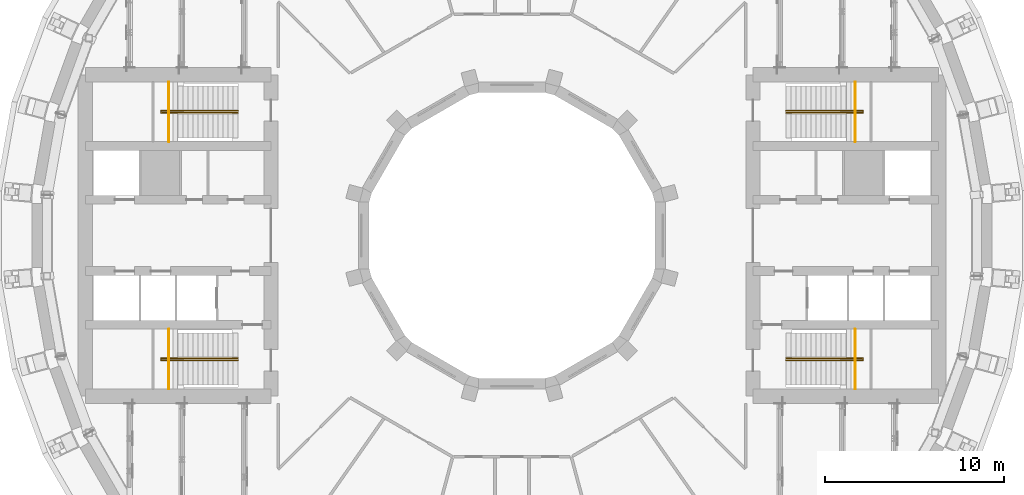
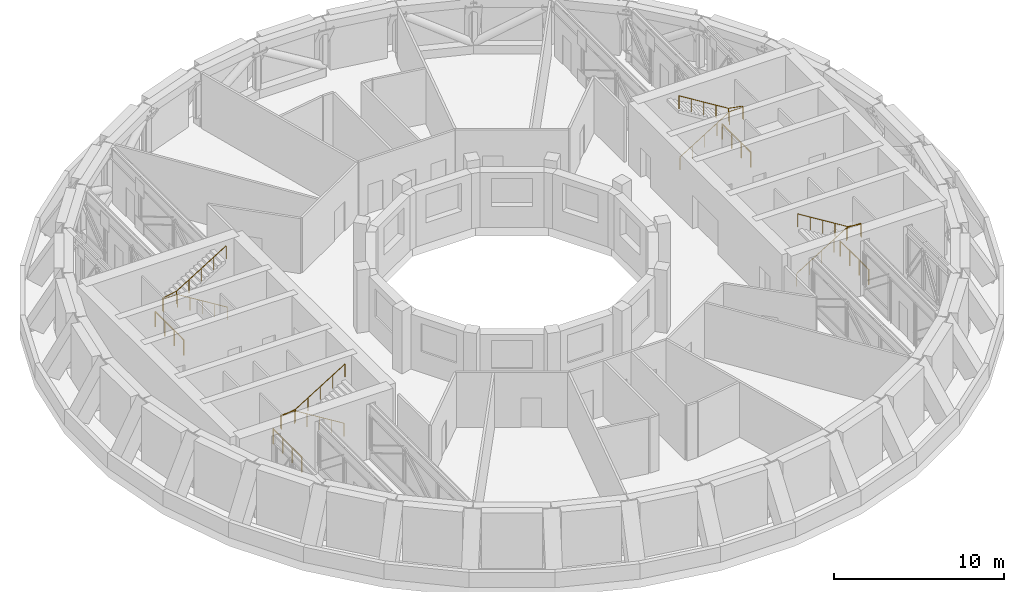
# One storey, part 19 of 19: 8 railings.
"""IFC4 building model written with IfcOpenShell, lengths in metres."""

from ifc_helpers import new_model, si_unit, direction, frame, origin, origin_2d, place, context, subcontext, project, spatial, circle, extrude, material, type_object, element, save


model = new_model("IFC4")

# Units and contexts
model_context = context("Model", 3, precision=1e-05, world=origin(), true_north=direction((0.0, 1.0)))
body_context = subcontext(model_context, "Body", "Model", "MODEL_VIEW")
ifc_project = project(units=[si_unit("LENGTHUNIT", "METRE"), si_unit("AREAUNIT", "SQUARE_METRE"), si_unit("VOLUMEUNIT", "CUBIC_METRE"), si_unit("PLANEANGLEUNIT", "RADIAN"), si_unit("MASSUNIT", "GRAM", prefix="KILO")], contexts=[model_context])

# Site, building, storey
site_placement = place(None, origin())
site = spatial("IfcSite", under=ifc_project, at=site_placement, CompositionType="ELEMENT")
building_placement = place(site_placement, origin())
building = spatial("IfcBuilding", under=site, at=building_placement, Name="Saqina Gate Tower", CompositionType="ELEMENT")
storey_placement = place(building_placement, frame((0.0, 0.0, 82.39990234375)))
storey = spatial("IfcBuildingStorey", under=building, at=storey_placement, Name="L23", CompositionType="ELEMENT", Elevation=82.39990234375)

# Railings
ifc_material_1 = material(Name="Stainless steel", Category="steel")
railing_type_1 = type_object("IfcRailingType", Name="STAIR GUARD", PredefinedType="GUARDRAIL", material=ifc_material_1)
railing_1_placement = place(storey_placement, frame((19.219970703125, 5.25, 0.0)))
element("IfcRailing", 1, at=railing_1_placement, inside=storey, type_object=railing_type_1, Name="STAIR GUARD", PredefinedType="GUARDRAIL", context=body_context, shape_type="SweptSolid", body=[
    extrude(circle(Radius=0.02392578125, at=origin_2d()), frame((0.0, 0.0, 1.076171875), z_axis=(0.0, 1.0, 0.0), x_axis=(-1.0, 0.0, 0.0)), (0.0, 0.0, 1.0), 3.35009765625),
    extrude(circle(Radius=0.02099609375, at=origin_2d()), origin(), (0.0, 0.0, 1.0), 1.052001953125),
    extrude(circle(Radius=0.02099609375, at=origin_2d()), frame((0.0, 1.11669921875, 0.0)), (0.0, 0.0, 1.0), 1.052001953125),
    extrude(circle(Radius=0.02099609375, at=origin_2d()), frame((0.0, 2.2333984375, 0.0)), (0.0, 0.0, 1.0), 1.052001953125),
    extrude(circle(Radius=0.02099609375, at=origin_2d()), frame((0.0, 3.35009765625, 0.0)), (0.0, 0.0, 1.0), 1.052001953125),
])
railing_2_placement = place(storey_placement, frame((19.219970703125, -5.25, 0.0)))
element("IfcRailing", 2, at=railing_2_placement, inside=storey, type_object=railing_type_1, Name="STAIR GUARD", PredefinedType="GUARDRAIL", context=body_context, shape_type="SweptSolid", body=[
    extrude(circle(Radius=0.02392578125, at=origin_2d()), frame((0.0, 0.0, 1.076171875), z_axis=(0.0, -1.0, 0.0), x_axis=(1.0, 0.0, 0.0)), (0.0, 0.0, 1.0), 3.35009765625),
    extrude(circle(Radius=0.02099609375, at=origin_2d()), origin(), (0.0, 0.0, 1.0), 1.052001953125),
    extrude(circle(Radius=0.02099609375, at=origin_2d()), frame((0.0, -1.11669921875, 0.0)), (0.0, 0.0, 1.0), 1.052001953125),
    extrude(circle(Radius=0.02099609375, at=origin_2d()), frame((0.0, -2.2333984375, 0.0)), (0.0, 0.0, 1.0), 1.052001953125),
    extrude(circle(Radius=0.02099609375, at=origin_2d()), frame((0.0, -3.35009765625, 0.0)), (0.0, 0.0, 1.0), 1.052001953125),
])
railing_3_placement = place(storey_placement, frame((-19.219970703125, 5.25, 0.0)))
element("IfcRailing", 3, at=railing_3_placement, inside=storey, type_object=railing_type_1, Name="STAIR GUARD", PredefinedType="GUARDRAIL", context=body_context, shape_type="SweptSolid", body=[
    extrude(circle(Radius=0.02392578125, at=origin_2d()), frame((0.0, 0.0, 1.076171875), z_axis=(0.0, 1.0, 0.0), x_axis=(-1.0, 0.0, 0.0)), (0.0, 0.0, 1.0), 3.35009765625),
    extrude(circle(Radius=0.02099609375, at=origin_2d()), origin(), (0.0, 0.0, 1.0), 1.052001953125),
    extrude(circle(Radius=0.02099609375, at=origin_2d()), frame((0.0, 1.11669921875, 0.0)), (0.0, 0.0, 1.0), 1.052001953125),
    extrude(circle(Radius=0.02099609375, at=origin_2d()), frame((0.0, 2.2333984375, 0.0)), (0.0, 0.0, 1.0), 1.052001953125),
    extrude(circle(Radius=0.02099609375, at=origin_2d()), frame((0.0, 3.35009765625, 0.0)), (0.0, 0.0, 1.0), 1.052001953125),
])
railing_4_placement = place(storey_placement, frame((-19.219970703125, -5.25, 0.0)))
element("IfcRailing", 4, at=railing_4_placement, inside=storey, type_object=railing_type_1, Name="STAIR GUARD", PredefinedType="GUARDRAIL", context=body_context, shape_type="SweptSolid", body=[
    extrude(circle(Radius=0.02392578125, at=origin_2d()), frame((0.0, 0.0, 1.076171875), z_axis=(0.0, -1.0, 0.0), x_axis=(1.0, 0.0, 0.0)), (0.0, 0.0, 1.0), 3.35009765625),
    extrude(circle(Radius=0.02099609375, at=origin_2d()), origin(), (0.0, 0.0, 1.0), 1.052001953125),
    extrude(circle(Radius=0.02099609375, at=origin_2d()), frame((0.0, -1.11669921875, 0.0)), (0.0, 0.0, 1.0), 1.052001953125),
    extrude(circle(Radius=0.02099609375, at=origin_2d()), frame((0.0, -2.2333984375, 0.0)), (0.0, 0.0, 1.0), 1.052001953125),
    extrude(circle(Radius=0.02099609375, at=origin_2d()), frame((0.0, -3.35009765625, 0.0)), (0.0, 0.0, 1.0), 1.052001953125),
])
ifc_material_2 = material(Name="Stainless steel", Category="steel")
railing_type_2 = type_object("IfcRailingType", Name="STAIR HANDRAIL", PredefinedType="HANDRAIL", material=ifc_material_2)
railing_5_placement = place(storey_placement, frame((15.35009765625, 6.86669921875, 0.173095703125)))
element("IfcRailing", 5, at=railing_5_placement, inside=storey, type_object=railing_type_2, Name="EXIT STAIR 1 HANDRAIL", PredefinedType="HANDRAIL", context=body_context, shape_type="SweptSolid", body=[
    extrude(circle(Radius=0.02392578125, at=origin_2d()), frame((0.0, 0.0, 0.92578125), z_axis=(0.850606129759, 0.0, 0.525803396734), x_axis=(0.0, 1.0, 0.0)), (0.0, 0.0, 1.0), 3.949951171875),
    extrude(circle(Radius=0.02392578125, at=origin_2d()), frame((3.35986328125, 0.0, 3.0029296875), z_axis=(1.0, 0.0, 0.0), x_axis=(0.0, 1.0, 0.0)), (0.0, 0.0, 1.0), 0.949951171875),
    extrude(circle(Radius=0.02392578125, at=origin_2d()), frame((4.309814453125, 0.0, 3.0029296875), z_axis=(0.0, 1.0, 0.0), x_axis=(-1.0, 0.0, 0.0)), (0.0, 0.0, 1.0), 0.11669921875),
    extrude(circle(Radius=0.02392578125, at=origin_2d()), frame((4.309814453125, 0.11669921875, 3.0029296875), z_axis=(-0.983801064867, 0.0, 0.17926367386), x_axis=(0.0, -1.0, 0.0)), (0.0, 0.0, 1.0), 0.965576171875),
    extrude(circle(Radius=0.02392578125, at=origin_2d()), frame((3.35986328125, 0.11669921875, 3.17578125), z_axis=(-0.850606129759, 0.0, 0.525803396734), x_axis=(0.0, -1.0, 0.0)), (0.0, 0.0, 1.0), 3.949951171875),
    extrude(circle(Radius=0.02099609375, at=origin_2d()), origin(), (0.0, 0.0, 1.0), 0.90185546875),
    extrude(circle(Radius=0.02099609375, at=origin_2d()), frame((0.83984375, 0.0, 0.519287109375)), (0.0, 0.0, 1.0), 0.90185546875),
    extrude(circle(Radius=0.02099609375, at=origin_2d()), frame((1.679931640625, 0.0, 1.03857421875)), (0.0, 0.0, 1.0), 0.90185546875),
    extrude(circle(Radius=0.02099609375, at=origin_2d()), frame((2.52001953125, 0.0, 1.5576171875)), (0.0, 0.0, 1.0), 0.90185546875),
    extrude(circle(Radius=0.02099609375, at=origin_2d()), frame((3.35986328125, 0.0, 2.076904296875)), (0.0, 0.0, 1.0), 0.90185546875),
    extrude(circle(Radius=0.02099609375, at=origin_2d()), frame((4.309814453125, 0.0, 2.076904296875)), (0.0, 0.0, 1.0), 0.90185546875),
    extrude(circle(Radius=0.02099609375, at=origin_2d()), frame((4.309814453125, 0.11669921875, 2.076904296875)), (0.0, 0.0, 1.0), 0.90185546875),
    extrude(circle(Radius=0.02099609375, at=origin_2d()), frame((3.35986328125, 0.11669921875, 2.25)), (0.0, 0.0, 1.0), 0.90185546875),
    extrude(circle(Radius=0.02099609375, at=origin_2d()), frame((2.52001953125, 0.11669921875, 2.769287109375)), (0.0, 0.0, 1.0), 0.90185546875),
    extrude(circle(Radius=0.02099609375, at=origin_2d()), frame((1.679931640625, 0.11669921875, 3.28857421875)), (0.0, 0.0, 1.0), 0.90185546875),
    extrude(circle(Radius=0.02099609375, at=origin_2d()), frame((0.83984375, 0.11669921875, 3.8076171875)), (0.0, 0.0, 1.0), 0.90185546875),
    extrude(circle(Radius=0.02099609375, at=origin_2d()), frame((0.0, 0.11669921875, 4.326904296875)), (0.0, 0.0, 1.0), 0.90185546875),
])
railing_6_placement = place(storey_placement, frame((15.35009765625, -6.86669921875, 0.173095703125)))
element("IfcRailing", 6, at=railing_6_placement, inside=storey, type_object=railing_type_2, Name="EXIT STAIR 2 HANDRAIL", PredefinedType="HANDRAIL", context=body_context, shape_type="SweptSolid", body=[
    extrude(circle(Radius=0.02392578125, at=origin_2d()), frame((0.0, 0.0, 0.92578125), z_axis=(0.850606129759, 0.0, 0.525803396734), x_axis=(0.0, 1.0, 0.0)), (0.0, 0.0, 1.0), 3.949951171875),
    extrude(circle(Radius=0.02392578125, at=origin_2d()), frame((3.35986328125, 0.0, 3.0029296875), z_axis=(1.0, 0.0, 0.0), x_axis=(0.0, 1.0, 0.0)), (0.0, 0.0, 1.0), 0.949951171875),
    extrude(circle(Radius=0.02392578125, at=origin_2d()), frame((4.309814453125, 0.0, 3.0029296875), z_axis=(0.0, -1.0, 0.0), x_axis=(1.0, 0.0, 0.0)), (0.0, 0.0, 1.0), 0.11669921875),
    extrude(circle(Radius=0.02392578125, at=origin_2d()), frame((4.309814453125, -0.11669921875, 3.0029296875), z_axis=(-0.983801064867, 0.0, 0.17926367386), x_axis=(0.0, -1.0, 0.0)), (0.0, 0.0, 1.0), 0.965576171875),
    extrude(circle(Radius=0.02392578125, at=origin_2d()), frame((3.35986328125, -0.11669921875, 3.17578125), z_axis=(-0.850606129759, 0.0, 0.525803396734), x_axis=(0.0, -1.0, 0.0)), (0.0, 0.0, 1.0), 3.949951171875),
    extrude(circle(Radius=0.02099609375, at=origin_2d()), origin(), (0.0, 0.0, 1.0), 0.90185546875),
    extrude(circle(Radius=0.02099609375, at=origin_2d()), frame((0.83984375, 0.0, 0.519287109375)), (0.0, 0.0, 1.0), 0.90185546875),
    extrude(circle(Radius=0.02099609375, at=origin_2d()), frame((1.679931640625, 0.0, 1.03857421875)), (0.0, 0.0, 1.0), 0.90185546875),
    extrude(circle(Radius=0.02099609375, at=origin_2d()), frame((2.52001953125, 0.0, 1.5576171875)), (0.0, 0.0, 1.0), 0.90185546875),
    extrude(circle(Radius=0.02099609375, at=origin_2d()), frame((3.35986328125, 0.0, 2.076904296875)), (0.0, 0.0, 1.0), 0.90185546875),
    extrude(circle(Radius=0.02099609375, at=origin_2d()), frame((4.309814453125, 0.0, 2.076904296875)), (0.0, 0.0, 1.0), 0.90185546875),
    extrude(circle(Radius=0.02099609375, at=origin_2d()), frame((4.309814453125, -0.11669921875, 2.076904296875)), (0.0, 0.0, 1.0), 0.90185546875),
    extrude(circle(Radius=0.02099609375, at=origin_2d()), frame((3.35986328125, -0.11669921875, 2.25)), (0.0, 0.0, 1.0), 0.90185546875),
    extrude(circle(Radius=0.02099609375, at=origin_2d()), frame((2.52001953125, -0.11669921875, 2.769287109375)), (0.0, 0.0, 1.0), 0.90185546875),
    extrude(circle(Radius=0.02099609375, at=origin_2d()), frame((1.679931640625, -0.11669921875, 3.28857421875)), (0.0, 0.0, 1.0), 0.90185546875),
    extrude(circle(Radius=0.02099609375, at=origin_2d()), frame((0.83984375, -0.11669921875, 3.8076171875)), (0.0, 0.0, 1.0), 0.90185546875),
    extrude(circle(Radius=0.02099609375, at=origin_2d()), frame((0.0, -0.11669921875, 4.326904296875)), (0.0, 0.0, 1.0), 0.90185546875),
])
railing_7_placement = place(storey_placement, frame((-15.35009765625, 6.86669921875, 0.173095703125)))
element("IfcRailing", 7, at=railing_7_placement, inside=storey, type_object=railing_type_2, Name="EXIT STAIR 3 HANDRAIL", PredefinedType="HANDRAIL", context=body_context, shape_type="SweptSolid", body=[
    extrude(circle(Radius=0.02392578125, at=origin_2d()), frame((0.0, 0.0, 0.92578125), z_axis=(-0.850606129759, 0.0, 0.525803396734), x_axis=(0.0, -1.0, 0.0)), (0.0, 0.0, 1.0), 3.949951171875),
    extrude(circle(Radius=0.02392578125, at=origin_2d()), frame((-3.35986328125, 0.0, 3.0029296875), z_axis=(-1.0, 0.0, 0.0), x_axis=(0.0, -1.0, 0.0)), (0.0, 0.0, 1.0), 0.949951171875),
    extrude(circle(Radius=0.02392578125, at=origin_2d()), frame((-4.309814453125, 0.0, 3.0029296875), z_axis=(0.0, 1.0, 0.0), x_axis=(-1.0, 0.0, 0.0)), (0.0, 0.0, 1.0), 0.11669921875),
    extrude(circle(Radius=0.02392578125, at=origin_2d()), frame((-4.309814453125, 0.11669921875, 3.0029296875), z_axis=(0.983801064867, 0.0, 0.17926367386), x_axis=(0.0, 1.0, 0.0)), (0.0, 0.0, 1.0), 0.965576171875),
    extrude(circle(Radius=0.02392578125, at=origin_2d()), frame((-3.35986328125, 0.11669921875, 3.17578125), z_axis=(0.850606129759, 0.0, 0.525803396734), x_axis=(0.0, 1.0, 0.0)), (0.0, 0.0, 1.0), 3.949951171875),
    extrude(circle(Radius=0.02099609375, at=origin_2d()), origin(), (0.0, 0.0, 1.0), 0.90185546875),
    extrude(circle(Radius=0.02099609375, at=origin_2d()), frame((-0.83984375, 0.0, 0.519287109375)), (0.0, 0.0, 1.0), 0.90185546875),
    extrude(circle(Radius=0.02099609375, at=origin_2d()), frame((-1.679931640625, 0.0, 1.03857421875)), (0.0, 0.0, 1.0), 0.90185546875),
    extrude(circle(Radius=0.02099609375, at=origin_2d()), frame((-2.52001953125, 0.0, 1.5576171875)), (0.0, 0.0, 1.0), 0.90185546875),
    extrude(circle(Radius=0.02099609375, at=origin_2d()), frame((-3.35986328125, 0.0, 2.076904296875)), (0.0, 0.0, 1.0), 0.90185546875),
    extrude(circle(Radius=0.02099609375, at=origin_2d()), frame((-4.309814453125, 0.0, 2.076904296875)), (0.0, 0.0, 1.0), 0.90185546875),
    extrude(circle(Radius=0.02099609375, at=origin_2d()), frame((-4.309814453125, 0.11669921875, 2.076904296875)), (0.0, 0.0, 1.0), 0.90185546875),
    extrude(circle(Radius=0.02099609375, at=origin_2d()), frame((-3.35986328125, 0.11669921875, 2.25)), (0.0, 0.0, 1.0), 0.90185546875),
    extrude(circle(Radius=0.02099609375, at=origin_2d()), frame((-2.52001953125, 0.11669921875, 2.769287109375)), (0.0, 0.0, 1.0), 0.90185546875),
    extrude(circle(Radius=0.02099609375, at=origin_2d()), frame((-1.679931640625, 0.11669921875, 3.28857421875)), (0.0, 0.0, 1.0), 0.90185546875),
    extrude(circle(Radius=0.02099609375, at=origin_2d()), frame((-0.83984375, 0.11669921875, 3.8076171875)), (0.0, 0.0, 1.0), 0.90185546875),
    extrude(circle(Radius=0.02099609375, at=origin_2d()), frame((0.0, 0.11669921875, 4.326904296875)), (0.0, 0.0, 1.0), 0.90185546875),
])
railing_8_placement = place(storey_placement, frame((-15.35009765625, -6.86669921875, 0.173095703125)))
element("IfcRailing", 8, at=railing_8_placement, inside=storey, type_object=railing_type_2, Name="EXIT STAIR 4 HANDRAIL", PredefinedType="HANDRAIL", context=body_context, shape_type="SweptSolid", body=[
    extrude(circle(Radius=0.02392578125, at=origin_2d()), frame((0.0, 0.0, 0.92578125), z_axis=(-0.850606129759, 0.0, 0.525803396734), x_axis=(0.0, -1.0, 0.0)), (0.0, 0.0, 1.0), 3.949951171875),
    extrude(circle(Radius=0.02392578125, at=origin_2d()), frame((-3.35986328125, 0.0, 3.0029296875), z_axis=(-1.0, 0.0, 0.0), x_axis=(0.0, -1.0, 0.0)), (0.0, 0.0, 1.0), 0.949951171875),
    extrude(circle(Radius=0.02392578125, at=origin_2d()), frame((-4.309814453125, 0.0, 3.0029296875), z_axis=(0.0, -1.0, 0.0), x_axis=(1.0, 0.0, 0.0)), (0.0, 0.0, 1.0), 0.11669921875),
    extrude(circle(Radius=0.02392578125, at=origin_2d()), frame((-4.309814453125, -0.11669921875, 3.0029296875), z_axis=(0.983801064867, 0.0, 0.17926367386), x_axis=(0.0, 1.0, 0.0)), (0.0, 0.0, 1.0), 0.965576171875),
    extrude(circle(Radius=0.02392578125, at=origin_2d()), frame((-3.35986328125, -0.11669921875, 3.17578125), z_axis=(0.850606129759, 0.0, 0.525803396734), x_axis=(0.0, 1.0, 0.0)), (0.0, 0.0, 1.0), 3.949951171875),
    extrude(circle(Radius=0.02099609375, at=origin_2d()), origin(), (0.0, 0.0, 1.0), 0.90185546875),
    extrude(circle(Radius=0.02099609375, at=origin_2d()), frame((-0.83984375, 0.0, 0.519287109375)), (0.0, 0.0, 1.0), 0.90185546875),
    extrude(circle(Radius=0.02099609375, at=origin_2d()), frame((-1.679931640625, 0.0, 1.03857421875)), (0.0, 0.0, 1.0), 0.90185546875),
    extrude(circle(Radius=0.02099609375, at=origin_2d()), frame((-2.52001953125, 0.0, 1.5576171875)), (0.0, 0.0, 1.0), 0.90185546875),
    extrude(circle(Radius=0.02099609375, at=origin_2d()), frame((-3.35986328125, 0.0, 2.076904296875)), (0.0, 0.0, 1.0), 0.90185546875),
    extrude(circle(Radius=0.02099609375, at=origin_2d()), frame((-4.309814453125, 0.0, 2.076904296875)), (0.0, 0.0, 1.0), 0.90185546875),
    extrude(circle(Radius=0.02099609375, at=origin_2d()), frame((-4.309814453125, -0.11669921875, 2.076904296875)), (0.0, 0.0, 1.0), 0.90185546875),
    extrude(circle(Radius=0.02099609375, at=origin_2d()), frame((-3.35986328125, -0.11669921875, 2.25)), (0.0, 0.0, 1.0), 0.90185546875),
    extrude(circle(Radius=0.02099609375, at=origin_2d()), frame((-2.52001953125, -0.11669921875, 2.769287109375)), (0.0, 0.0, 1.0), 0.90185546875),
    extrude(circle(Radius=0.02099609375, at=origin_2d()), frame((-1.679931640625, -0.11669921875, 3.28857421875)), (0.0, 0.0, 1.0), 0.90185546875),
    extrude(circle(Radius=0.02099609375, at=origin_2d()), frame((-0.83984375, -0.11669921875, 3.8076171875)), (0.0, 0.0, 1.0), 0.90185546875),
    extrude(circle(Radius=0.02099609375, at=origin_2d()), frame((0.0, -0.11669921875, 4.326904296875)), (0.0, 0.0, 1.0), 0.90185546875),
])

save(model, "model.ifc")
